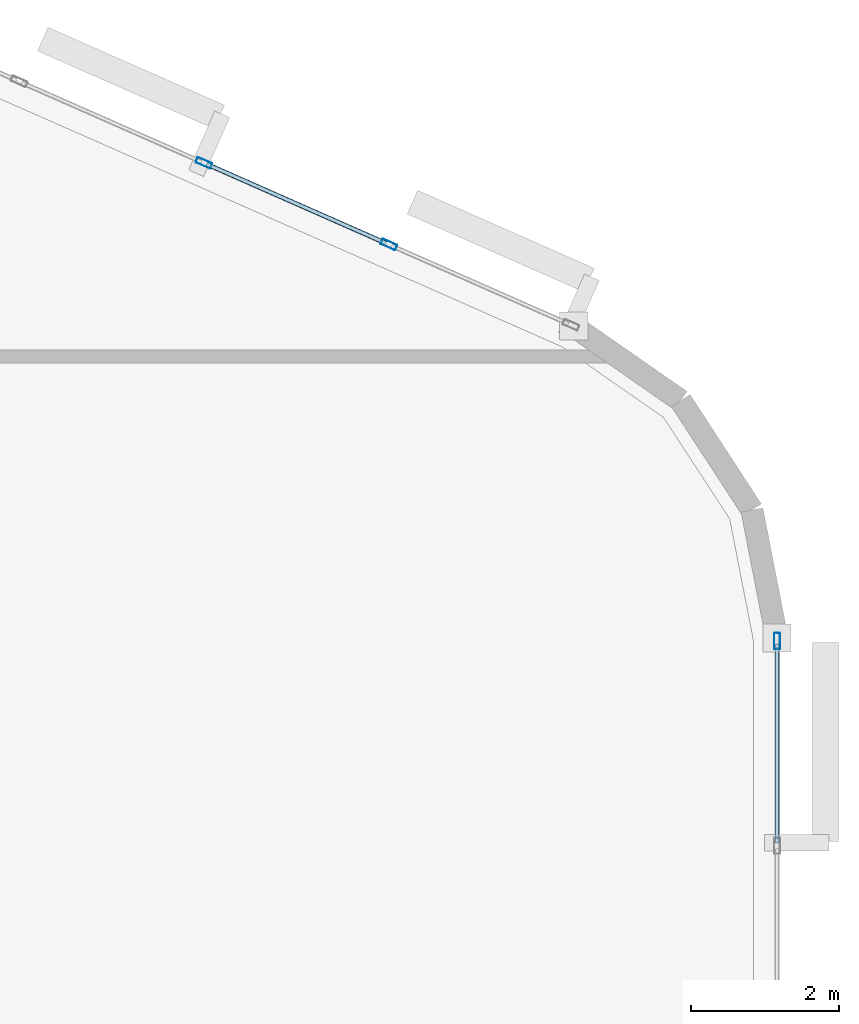
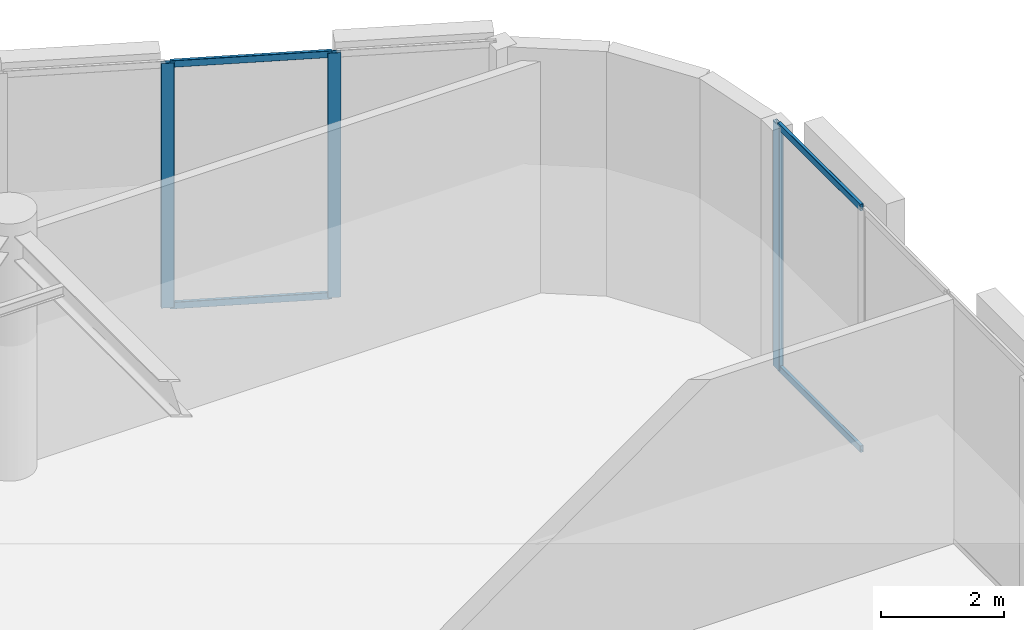
# One storey, part 6 of 12: 7 members, 2 elements without a shape of their own.
"""IFC4 building model written with IfcOpenShell, lengths in metres."""

from ifc_helpers import new_model, si_unit, direction, frame, origin, origin_2d, place, context, subcontext, project, spatial, hollow_rectangle, extrude, material, layer, layer_set, material_profile, profile_set, type_object, element, aggregate, save


model = new_model("IFC4")

# Units and contexts
model_context = context("Model", 3, precision=1e-05, world=origin(), true_north=direction((0.0, 1.0)))
body_context = subcontext(model_context, "Body", "Model", "MODEL_VIEW")
ifc_project = project(units=[si_unit("LENGTHUNIT", "METRE"), si_unit("AREAUNIT", "SQUARE_METRE"), si_unit("VOLUMEUNIT", "CUBIC_METRE"), si_unit("PLANEANGLEUNIT", "RADIAN"), si_unit("MASSUNIT", "GRAM", prefix="KILO")], contexts=[model_context])

# Site, building, storey
site_placement = place(None, origin())
site = spatial("IfcSite", under=ifc_project, at=site_placement, CompositionType="ELEMENT")
building_placement = place(site_placement, origin())
building = spatial("IfcBuilding", under=site, at=building_placement, Name="An Khanh Terracotta Commons", CompositionType="ELEMENT")
storey_placement = place(building_placement, frame((0.0, 0.0, 295.300048828125)))
storey = spatial("IfcBuildingStorey", under=building, at=storey_placement, Name="L77", CompositionType="ELEMENT", Elevation=295.300048828125)

# Curtain wall, member
ifc_material = material(Name="Anodised Aluminium 6063-T6", Category="aluminium")
ifc_layer = layer(ifc_material, 0.239990234375, Name="Anodised Aluminium 6063-T6")
ifc_layer_set = layer_set([ifc_layer], Name="Anodised Aluminium 6063-T6")
curtain_wall_type = type_object("IfcCurtainWallType", Name="CW-SYS-04", PredefinedType="USERDEFINED", material=ifc_layer_set)
curtain_wall_1_placement = place(storey_placement, origin())
curtain_wall_1 = element("IfcCurtainWall", 1, at=curtain_wall_1_placement, inside=storey, type_object=curtain_wall_type, Name="L77 CW-04 Unitised Curtain Wall CW-L77-12", ObjectType="UNITISED CURTAIN WALL", PredefinedType="USERDEFINED")
ifc_material_profile_1 = material_profile(ifc_material, hollow_rectangle(XDim=0.080078125, YDim=0.219970703125, WallThickness=0.0048828125, InnerFilletRadius=0.0048828125, OuterFilletRadius=0.010009765625, at=origin_2d()), Name="RHS220x80x5")
ifc_profile_set_1 = profile_set([ifc_material_profile_1], Name="Anodised Aluminium 6063-T6")
member_type_1 = type_object("IfcMemberType", Name="CWM-RHS220x80x5", PredefinedType="MULLION", material=ifc_profile_set_1)
member_1_placement = place(storey_placement, frame((75.60009765625, 28.162109375, 0.0), z_axis=(0.0, 0.0, 1.0), x_axis=(-1.0, 0.0, 0.0)))
member_1 = element("IfcMember", 2, at=member_1_placement, type_object=member_type_1, Name="CW-04 mullion 4", PredefinedType="MULLION", context=body_context, shape_type="SweptSolid", body=[
    extrude(hollow_rectangle(XDim=0.080078125, YDim=0.219970703125, WallThickness=0.0048828125, InnerFilletRadius=0.0048828125, OuterFilletRadius=0.010009765625, at=origin_2d()), origin(), (0.0, 0.0, 1.0), 4.849853515625),
])

# Curtain wall, members
curtain_wall_2_placement = place(storey_placement, origin())
curtain_wall_2 = element("IfcCurtainWall", 3, at=curtain_wall_2_placement, inside=storey, type_object=curtain_wall_type, Name="L77 CW-04 Unitised Curtain Wall CW-L77-16", ObjectType="UNITISED CURTAIN WALL", PredefinedType="USERDEFINED")
member_2_placement = place(storey_placement, frame((70.364501953125, 33.509765625, 0.0), z_axis=(0.0, 0.0, 1.0), x_axis=(-0.403676354285, -0.914901853201, 0.0)))
member_2 = element("IfcMember", 4, at=member_2_placement, type_object=member_type_1, Name="CW-04 mullion 2", PredefinedType="MULLION", context=body_context, shape_type="SweptSolid", body=[
    extrude(hollow_rectangle(XDim=0.080078125, YDim=0.219970703125, WallThickness=0.0048828125, InnerFilletRadius=0.0048828125, OuterFilletRadius=0.010009765625, at=origin_2d()), origin(), (0.0, 0.0, 1.0), 4.849853515625),
])
member_3_placement = place(storey_placement, frame((67.8720703125, 34.609619140625, 0.0), z_axis=(0.0, 0.0, 1.0), x_axis=(-0.403676354285, -0.914901853201, 0.0)))
member_3 = element("IfcMember", 5, at=member_3_placement, type_object=member_type_1, Name="CW-04 mullion 3", PredefinedType="MULLION", context=body_context, shape_type="SweptSolid", body=[
    extrude(hollow_rectangle(XDim=0.080078125, YDim=0.219970703125, WallThickness=0.0048828125, InnerFilletRadius=0.0048828125, OuterFilletRadius=0.010009765625, at=origin_2d()), origin(), (0.0, 0.0, 1.0), 4.849853515625),
])

# Member
ifc_material_profile_2 = material_profile(ifc_material, hollow_rectangle(XDim=0.06005859375, YDim=0.135009765625, WallThickness=0.003662109375, InnerFilletRadius=0.003662109375, OuterFilletRadius=0.007080078125, at=origin_2d()), Name="RHS135x60x3.6")
ifc_profile_set_2 = profile_set([ifc_material_profile_2], Name="Anodised Aluminium 6063-T6")
member_type_2 = type_object("IfcMemberType", Name="CWT-RHS135x60x3.6", PredefinedType="USERDEFINED", material=ifc_profile_set_2)
member_4_placement = place(storey_placement, frame((75.60009765625, 25.440673828125, 0.030029296875), z_axis=(0.0, 1.0, 0.0), x_axis=(-1.0, 0.0, 0.0)))
member_4 = element("IfcMember", 6, at=member_4_placement, type_object=member_type_2, Name="CW-04 transom 3.1", ObjectType="TRANSOM", PredefinedType="USERDEFINED", context=body_context, shape_type="SweptSolid", body=[
    extrude(hollow_rectangle(XDim=0.06005859375, YDim=0.135009765625, WallThickness=0.003662109375, InnerFilletRadius=0.003662109375, OuterFilletRadius=0.007080078125, at=origin_2d()), origin(), (0.0, 0.0, 1.0), 2.681396484375),
])

member_5_placement = place(storey_placement, frame((75.60009765625, 25.440673828125, 4.820068359375), z_axis=(0.0, 1.0, 0.0), x_axis=(-1.0, 0.0, 0.0)))
member_5 = element("IfcMember", 7, at=member_5_placement, type_object=member_type_2, Name="CW-04 transom 3.2", ObjectType="TRANSOM", PredefinedType="USERDEFINED", context=body_context, shape_type="SweptSolid", body=[
    extrude(hollow_rectangle(XDim=0.06005859375, YDim=0.135009765625, WallThickness=0.003662109375, InnerFilletRadius=0.003662109375, OuterFilletRadius=0.007080078125, at=origin_2d()), origin(), (0.0, 0.0, 1.0), 2.681396484375),
])

aggregate(curtain_wall_1, [member_1, member_4, member_5])

member_6_placement = place(storey_placement, frame((70.327880859375, 33.52587890625, 0.030029296875), z_axis=(-0.914904763816, 0.403669757534, 0.0), x_axis=(-0.403669757534, -0.914904763816, 0.0)))
member_6 = element("IfcMember", 8, at=member_6_placement, type_object=member_type_2, Name="CW-04 transom 2.1", ObjectType="TRANSOM", PredefinedType="USERDEFINED", context=body_context, shape_type="SweptSolid", body=[
    extrude(hollow_rectangle(XDim=0.06005859375, YDim=0.135009765625, WallThickness=0.003662109375, InnerFilletRadius=0.003662109375, OuterFilletRadius=0.007080078125, at=origin_2d()), origin(), (0.0, 0.0, 1.0), 2.644287109375),
])

member_7_placement = place(storey_placement, frame((70.327880859375, 33.52587890625, 4.820068359375), z_axis=(-0.914904763816, 0.403669757534, 0.0), x_axis=(-0.403669757534, -0.914904763816, 0.0)))
member_7 = element("IfcMember", 9, at=member_7_placement, type_object=member_type_2, Name="CW-04 transom 2.2", ObjectType="TRANSOM", PredefinedType="USERDEFINED", context=body_context, shape_type="SweptSolid", body=[
    extrude(hollow_rectangle(XDim=0.06005859375, YDim=0.135009765625, WallThickness=0.003662109375, InnerFilletRadius=0.003662109375, OuterFilletRadius=0.007080078125, at=origin_2d()), origin(), (0.0, 0.0, 1.0), 2.644287109375),
])

aggregate(curtain_wall_2, [member_2, member_3, member_6, member_7])

save(model, "model.ifc")
